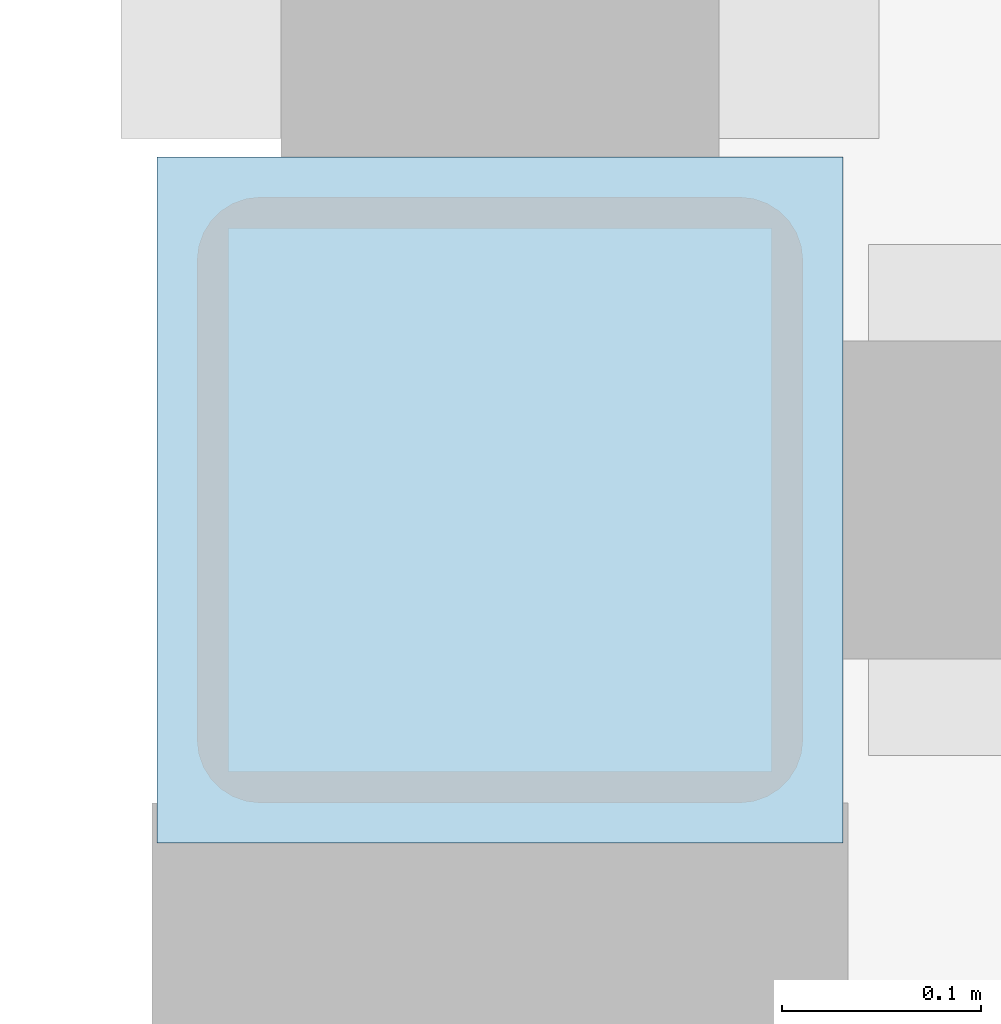
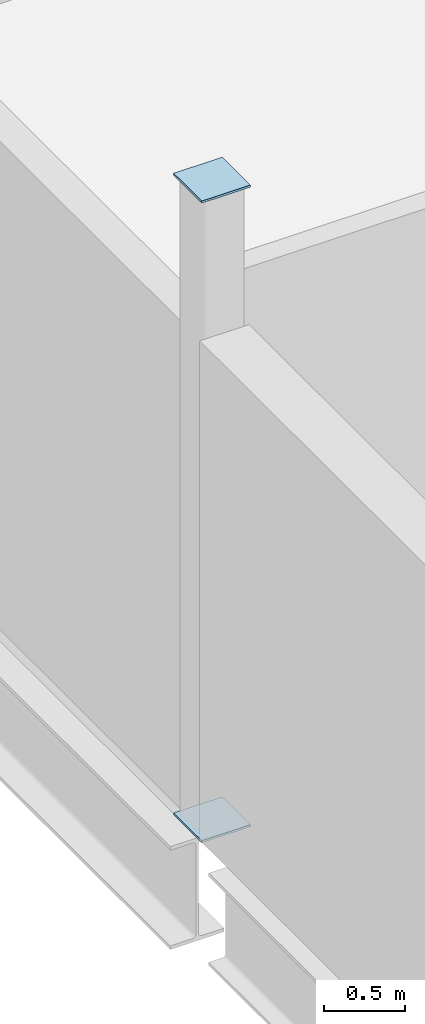
# One storey, part 35 of 72: 2 plates.
"""IFC4 building model written with IfcOpenShell, lengths in metres."""

import ifcopenshell
import ifcopenshell.guid

model = None  # the IFC model being written
_history = None  # IfcOwnerHistory: only IFC2X3 demands one
_inside = {}  # id of a spatial element -> (the spatial element, [elements in it])
_under = {}  # id of a project, library or spatial element -> (it, [spatial elements below it])
_declared = {}  # id of a project -> (the project, [libraries it declares])
_typed = {}  # id of a type object -> (the type object, [elements of that type])
_made_of = {}  # id of a material, layer set ... -> (it, [elements and type objects made of it])


def new_model(schema):
    """Start an empty IFC model of exactly this schema.

    Asked for "IFC4X3", IfcOpenShell would pick the latest addendum, in which some entities
    have other attributes; the version numbers below select the first issue.
    IFC2X3 requires an IfcOwnerHistory on every rooted entity: one is made here for all.
    """
    global model, _history
    if schema == "IFC4X3":
        model = ifcopenshell.file(schema_version=(4, 3, 0, 0))
    else:
        model = ifcopenshell.file(schema=schema)
    _inside.clear()
    _under.clear()
    _declared.clear()
    _typed.clear()
    _made_of.clear()
    _history = None
    if model.schema == "IFC2X3":
        org = make("IfcOrganization", Name="unknown")
        user = make(
            "IfcPersonAndOrganization",
            ThePerson=make("IfcPerson", FamilyName="unknown"),
            TheOrganization=org,
        )
        app = make(
            "IfcApplication",
            ApplicationDeveloper=org,
            Version="unknown",
            ApplicationFullName="unknown",
            ApplicationIdentifier="unknown",
        )
        _history = make(
            "IfcOwnerHistory",
            OwningUser=user,
            OwningApplication=app,
            ChangeAction="ADDED",
            CreationDate=0,
        )
    return model


def make(cls, **values):
    """One entity of the class cls with the attributes given. An attribute that is None is left unset."""
    return model.create_entity(
        cls, **{name: value for name, value in values.items() if value is not None}
    )


def rooted(cls, **values):
    """An entity with a GlobalId (a new one), such as an element, a storey or a relation."""
    return make(cls, GlobalId=ifcopenshell.guid.new(), OwnerHistory=_history, **values)


def si_unit(unit_type, name, prefix=None):
    """IfcSIUnit, for example si_unit("LENGTHUNIT", "METRE", prefix="MILLI")."""
    return make("IfcSIUnit", UnitType=unit_type, Prefix=prefix, Name=name)


def assignment(units):
    """IfcUnitAssignment: the units of a project."""
    return None if units is None else make("IfcUnitAssignment", Units=units)


def point(xyz):
    """IfcCartesianPoint."""
    return None if xyz is None else make("IfcCartesianPoint", Coordinates=xyz)


def direction(xyz):
    """IfcDirection."""
    return None if xyz is None else make("IfcDirection", DirectionRatios=xyz)


def frame(location, z_axis=None, x_axis=None):
    """IfcAxis2Placement3D, a coordinate frame: its origin and axes. An axis left out is left unset."""
    return make(
        "IfcAxis2Placement3D",
        Location=point(location),
        Axis=direction(z_axis),
        RefDirection=direction(x_axis),
    )


def frame_2d(location, x_axis=None):
    """IfcAxis2Placement2D, a coordinate frame in the plane: its origin and x axis."""
    return make(
        "IfcAxis2Placement2D", Location=point(location), RefDirection=direction(x_axis)
    )


def origin():
    """The frame at (0, 0, 0) with its axes left unset."""
    return frame((0.0, 0.0, 0.0))


def origin_2d():
    """The frame at (0, 0) in the plane with its x axis left unset."""
    return frame_2d((0.0, 0.0))


def place(relative_to, where):
    """IfcLocalPlacement: puts the frame where relative to a parent placement (None: the world)."""
    return make(
        "IfcLocalPlacement", PlacementRelTo=relative_to, RelativePlacement=where
    )


def context(
    kind, dimensions, precision=None, world=None, true_north=None, identifier=None
):
    """IfcGeometricRepresentationContext, for example the 3D "Model" context."""
    return make(
        "IfcGeometricRepresentationContext",
        ContextIdentifier=identifier,
        ContextType=kind,
        CoordinateSpaceDimension=dimensions,
        Precision=precision,
        WorldCoordinateSystem=world,
        TrueNorth=true_north,
    )


def subcontext(parent, identifier, kind, view, scale=None):
    """IfcGeometricRepresentationSubContext, for example "Body" below "Model"."""
    return make(
        "IfcGeometricRepresentationSubContext",
        ContextIdentifier=identifier,
        ContextType=kind,
        ParentContext=parent,
        TargetScale=scale,
        TargetView=view,
    )


def project(units=None, contexts=None):
    """IfcProject with its units and contexts."""
    return rooted(
        "IfcProject",
        Name="project",
        RepresentationContexts=contexts,
        UnitsInContext=assignment(units),
    )


def spatial(cls, under=None, at=None, **own):
    """A site, building, storey or space (cls), placed at a placement, below another one or the project."""
    s = rooted(cls, ObjectPlacement=at, **own)
    if under is not None:
        _under.setdefault(under.id(), (under, []))[1].append(s)
    return s


def profile(cls, at=None, kind="AREA", **sizes):
    """A parametric profile (cls). Its sizes go by their IFC names, for example OverallWidth=200.0."""
    return make(cls, ProfileType=kind, Position=at, **sizes)


def rectangle(**sizes):
    """IfcRectangleProfileDef."""
    return profile("IfcRectangleProfileDef", **sizes)


def extrude(swept, where, along, depth):
    """IfcExtrudedAreaSolid: the profile swept, set in the frame where, extruded along a direction by depth."""
    return make(
        "IfcExtrudedAreaSolid",
        SweptArea=swept,
        Position=where,
        ExtrudedDirection=direction(along),
        Depth=depth,
    )


def shape(context_of_items, identifier, shape_type, items):
    """IfcShapeRepresentation: the items that make up one representation, for example the "Body"."""
    return make(
        "IfcShapeRepresentation",
        ContextOfItems=context_of_items,
        RepresentationIdentifier=identifier,
        RepresentationType=shape_type,
        Items=items,
    )


def material(Name=None, Category=None):
    """IfcMaterial."""
    return make("IfcMaterial", Name=Name, Category=Category)


def layer(
    of_material, thickness, ventilated=None, Name=None, Category=None, Priority=None
):
    """IfcMaterialLayer: one layer of a wall or slab, of a material (None: an air gap)."""
    return make(
        "IfcMaterialLayer",
        Material=of_material,
        LayerThickness=thickness,
        IsVentilated=ventilated,
        Name=Name,
        Category=Category,
        Priority=Priority,
    )


def layer_set(layers, Name=None):
    """IfcMaterialLayerSet."""
    return make("IfcMaterialLayerSet", MaterialLayers=layers, LayerSetName=Name)


def made_of(thing, what):
    """Note that an element or type object is made of a material, layer set ...; save() writes the relation."""
    if what is not None:
        _made_of.setdefault(what.id(), (what, []))[1].append(thing)
    return thing


def type_object(cls, material=None, **own):
    """A type object (cls), such as IfcWallType, which elements share."""
    return made_of(rooted(cls, **own), material)


def element(
    cls,
    number,
    at=None,
    inside=None,
    cuts=None,
    type_object=None,
    material=None,
    context=None,
    identifier="Body",
    shape_type=None,
    held_by="IfcProductDefinitionShape",
    body=None,
    shapes=None,
    **own,
):
    """One element of the class cls, such as IfcWall. Its Tag is "e" and its number.

    at: its placement. inside: the storey or other place that contains it. cuts: it is an
    opening in that element (IfcRelVoidsElement). A single representation is given by context,
    identifier, shape_type and body (its items); several are given by shapes. held_by: the class
    of the entity that holds the representations. save() writes the other relations.
    """
    e = rooted(cls, Tag="e%d" % number, ObjectPlacement=at, **own)
    if body is not None:
        shapes = [shape(context, identifier, shape_type, body)]
    if shapes is not None:
        e.Representation = make(held_by, Representations=shapes)
    if inside is not None:
        _inside.setdefault(inside.id(), (inside, []))[1].append(e)
    if cuts is not None:
        rooted(
            "IfcRelVoidsElement", RelatingBuildingElement=cuts, RelatedOpeningElement=e
        )
    if type_object is not None:
        _typed.setdefault(type_object.id(), (type_object, []))[1].append(e)
    return made_of(e, material)


def aggregate(whole, parts):
    """IfcRelAggregates: a whole, such as a stair, and the parts it consists of."""
    return rooted("IfcRelAggregates", RelatingObject=whole, RelatedObjects=parts)


def save(model, path):
    """Write the relations noted so far, then the file.

    IfcRelAggregates (storeys below a building ...), IfcRelContainedInSpatialStructure (elements
    in a storey), IfcRelDefinesByType, IfcRelAssociatesMaterial and IfcRelDeclares: one each for
    every whole, place, type object, material and project.
    """
    for whole, parts in _under.values():
        aggregate(whole, parts)
    for where, things in _inside.values():
        rooted(
            "IfcRelContainedInSpatialStructure",
            RelatedElements=things,
            RelatingStructure=where,
        )
    for kind, things in _typed.values():
        rooted("IfcRelDefinesByType", RelatedObjects=things, RelatingType=kind)
    for what, things in _made_of.values():
        rooted("IfcRelAssociatesMaterial", RelatedObjects=things, RelatingMaterial=what)
    for by, libraries in _declared.values():
        rooted("IfcRelDeclares", RelatingContext=by, RelatedDefinitions=libraries)
    model.write(path)


model = new_model("IFC4")

# Units and contexts
model_context = context("Model", 3, precision=1e-05, world=origin(), true_north=direction((0.0, 1.0)))
body_context = subcontext(model_context, "Body", "Model", "MODEL_VIEW")
ifc_project = project(units=[si_unit("LENGTHUNIT", "METRE"), si_unit("AREAUNIT", "SQUARE_METRE"), si_unit("VOLUMEUNIT", "CUBIC_METRE"), si_unit("PLANEANGLEUNIT", "RADIAN"), si_unit("MASSUNIT", "GRAM", prefix="KILO")], contexts=[model_context])

# Site, building, storey
site_placement = place(None, origin())
site = spatial("IfcSite", under=ifc_project, at=site_placement, CompositionType="ELEMENT")
building_placement = place(site_placement, origin())
building = spatial("IfcBuilding", under=site, at=building_placement, Name="Calvrana Isthmian Art Gallery", CompositionType="ELEMENT")
storey_placement = place(building_placement, frame((0.0, 0.0, 15.0)))
storey = spatial("IfcBuildingStorey", under=building, at=storey_placement, Name="L03", CompositionType="ELEMENT", Elevation=15.0)

# Plates
ifc_material = material(Name="Steel ASTM A572 Gr 50", Category="steel")
ifc_layer = layer(ifc_material, 0.01611328125, Name="Steel ASTM A572 Gr 50")
ifc_layer_set = layer_set([ifc_layer], Name="Steel ASTM A572 Gr 50")
plate_type = type_object("IfcPlateType", Name="PL-CAP-16", PredefinedType="SHEET", material=ifc_layer_set)
for number, where, z_axis, x_axis, name in (
    (1, (21.60009765625, 38.39990234375, -0.008056640625), (0.0, 0.0, 1.0), (1.0, 0.0, 0.0), "Hollow section end cap plate 029"),
    (2, (21.60009765625, 38.39990234375, 4.7919921875), (0.0, 0.0, 1.0), (1.0, 0.0, 0.0), "Hollow section end cap plate 030"),
):
    element("IfcPlate", number, at=place(storey_placement, frame(where, z_axis=z_axis, x_axis=x_axis)), inside=storey, type_object=plate_type, Name=name, PredefinedType="SHEET", context=body_context, shape_type="SweptSolid", body=[
        extrude(rectangle(XDim=0.3447265625, YDim=0.3447265625, at=origin_2d()), origin(), (0.0, 0.0, 1.0), 0.01611328125),
    ])

save(model, "model.ifc")
